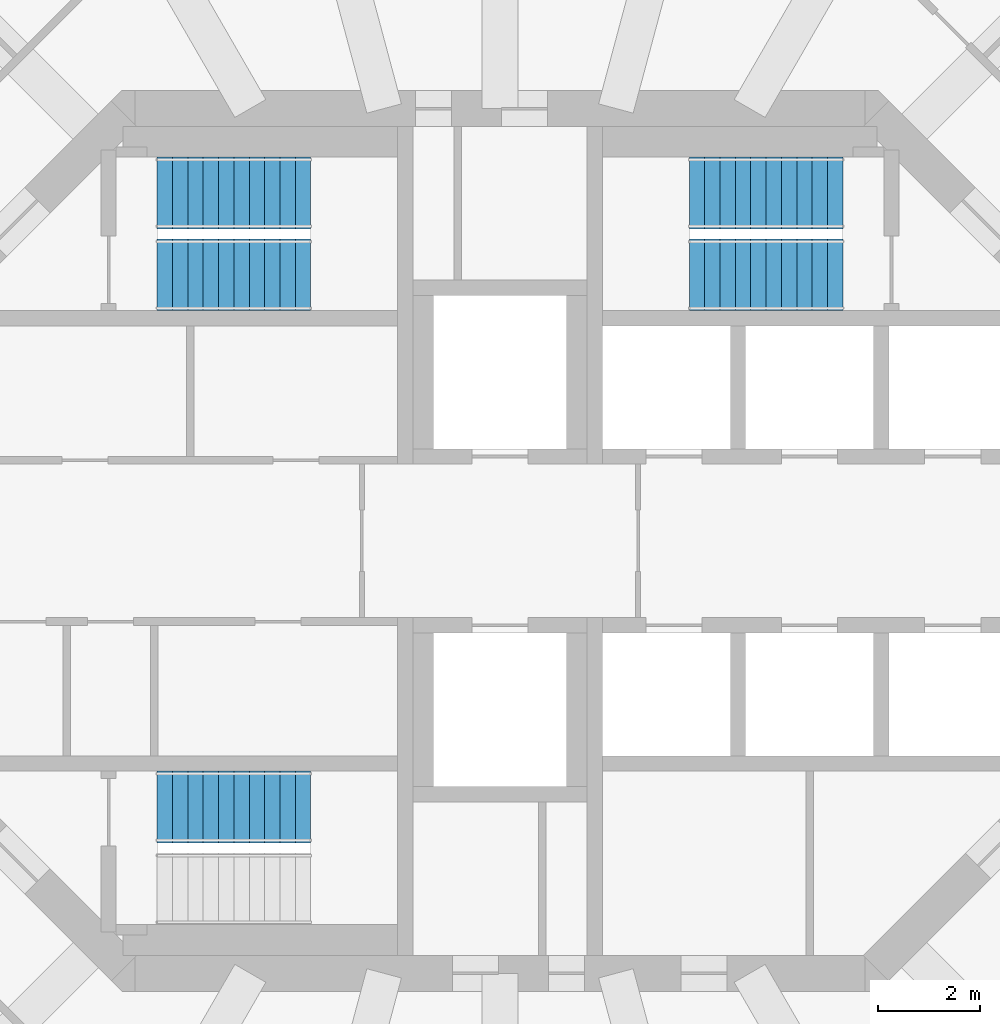
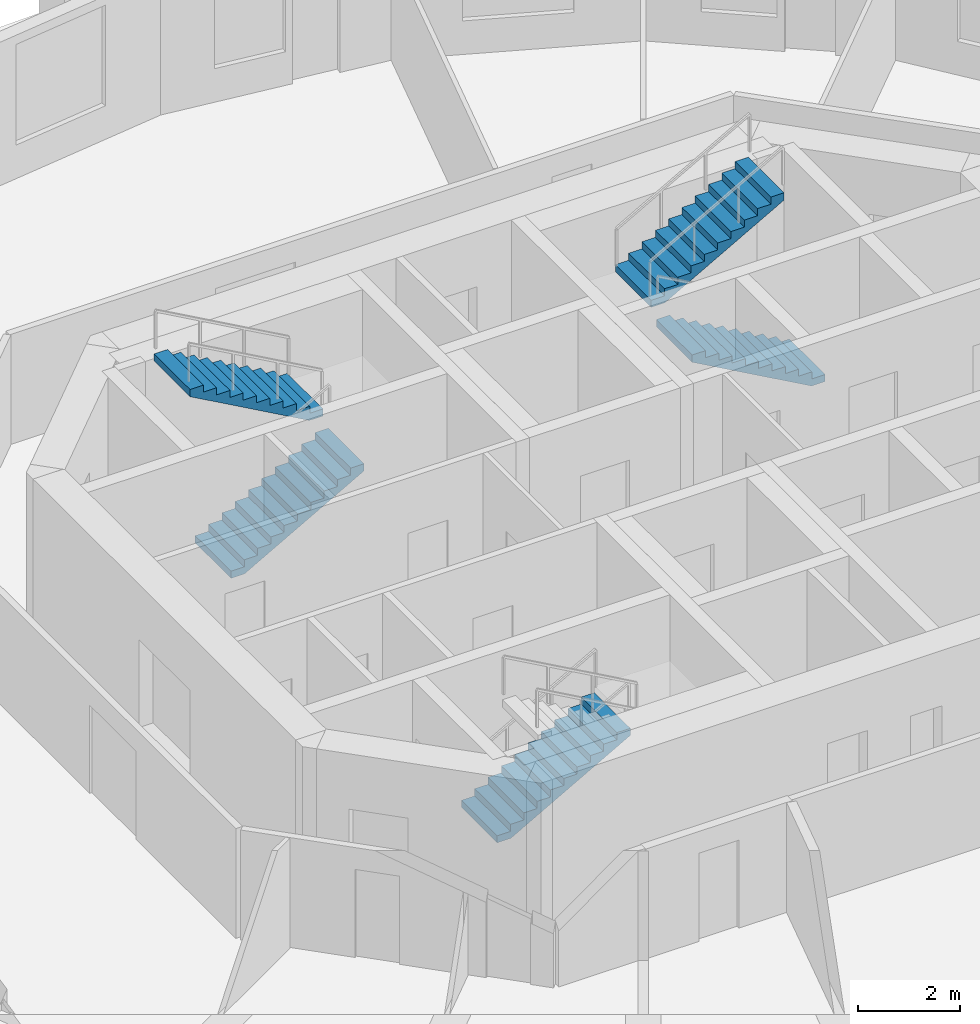
# One storey, part 7 of 9: 5 stair flights, 3 elements without a shape of their own.
"""IFC4 building model written with IfcOpenShell, lengths in metres."""

from ifc_helpers import new_model, si_unit, direction, frame, origin, place, context, subcontext, project, spatial, polyline, outline, extrude, material, type_object, element, aggregate, save


model = new_model("IFC4")

# Units and contexts
model_context = context("Model", 3, precision=1e-05, world=origin(), true_north=direction((0.0, 1.0)))
body_context = subcontext(model_context, "Body", "Model", "MODEL_VIEW")
ifc_project = project(units=[si_unit("LENGTHUNIT", "METRE"), si_unit("AREAUNIT", "SQUARE_METRE"), si_unit("VOLUMEUNIT", "CUBIC_METRE"), si_unit("PLANEANGLEUNIT", "RADIAN"), si_unit("MASSUNIT", "GRAM", prefix="KILO")], contexts=[model_context])

# Site, building, storey
site_placement = place(None, origin())
site = spatial("IfcSite", under=ifc_project, at=site_placement, CompositionType="ELEMENT")
building_placement = place(site_placement, origin())
building = spatial("IfcBuilding", under=site, at=building_placement, Name="Torre Triforio", CompositionType="ELEMENT")
storey_placement = place(building_placement, frame((0.0, 0.0, 154.199951171875)))
storey = spatial("IfcBuildingStorey", under=building, at=storey_placement, Name="L34", CompositionType="ELEMENT", Elevation=154.199951171875)

# Stair, stair flights
ifc_material = material(Name="Concrete C40", Category="concrete")
stair_type = type_object("IfcStairType", Name="STAIR HALF-TURN", PredefinedType="HALF_TURN_STAIR", material=ifc_material)
stair_1_placement = place(storey_placement, origin())
stair_1 = element("IfcStair", 1, at=stair_1_placement, inside=storey, type_object=stair_type, Name="Exit stair 1", PredefinedType="HALF_TURN_STAIR")
stair_flight_type = type_object("IfcStairFlightType", Name="STAIR FLIGHT 1400", PredefinedType="STRAIGHT", material=ifc_material)
stair_flight_1_placement = place(storey_placement, frame((-6.699951171875, 5.199951171875, 0.0), z_axis=(0.0, 0.0, 1.0), x_axis=(1.0, 0.0, 0.0)))
stair_flight_1 = element("IfcStairFlight", 2, at=stair_flight_1_placement, type_object=stair_flight_type, Name="ST1 flight 1", NumberOfRisers=11, NumberOfTreads=10, PredefinedType="STRAIGHT", RiserHeight=0.168181818, TreadLength=0.3, context=body_context, shape_type="SweptSolid", body=[
    extrude(outline(polyline([(0.0, 0.0), (0.0, 0.168212890625), (0.300048828125, 0.168212890625), (0.300048828125, 0.33642578125), (0.60009765625, 0.33642578125), (0.60009765625, 0.504638671875), (0.89990234375, 0.504638671875), (0.89990234375, 0.672607421875), (1.199951171875, 0.672607421875), (1.199951171875, 0.8408203125), (1.5, 0.8408203125), (1.5, 1.009033203125), (1.800048828125, 1.009033203125), (1.800048828125, 1.17724609375), (2.10009765625, 1.17724609375), (2.10009765625, 1.345458984375), (2.39990234375, 1.345458984375), (2.39990234375, 1.513671875), (2.699951171875, 1.513671875), (2.699951171875, 1.681884765625), (3.0, 1.681884765625), (3.0, 1.85009765625), (3.0, 1.510009765625), (0.306640625, 0.0), (0.0, 0.0)])), frame((0.0, 0.699951171875, 0.0), z_axis=(0.0, -1.0, 0.0), x_axis=(1.0, 0.0, 0.0)), (0.0, 0.0, 1.0), 1.39990234375),
])
stair_flight_2_placement = place(storey_placement, frame((-3.699951171875, 6.800048828125, 1.85009765625), z_axis=(0.0, 0.0, 1.0), x_axis=(-1.0, 0.0, 0.0)))
stair_flight_2 = element("IfcStairFlight", 3, at=stair_flight_2_placement, type_object=stair_flight_type, Name="ST1 flight 2", NumberOfRisers=11, NumberOfTreads=10, PredefinedType="STRAIGHT", RiserHeight=0.168181818, TreadLength=0.3, context=body_context, shape_type="SweptSolid", body=[
    extrude(outline(polyline([(0.0, 0.0), (0.0, 0.168212890625), (0.300048828125, 0.168212890625), (0.300048828125, 0.33642578125), (0.60009765625, 0.33642578125), (0.60009765625, 0.504638671875), (0.89990234375, 0.504638671875), (0.89990234375, 0.672607421875), (1.199951171875, 0.672607421875), (1.199951171875, 0.8408203125), (1.5, 0.8408203125), (1.5, 1.009033203125), (1.800048828125, 1.009033203125), (1.800048828125, 1.17724609375), (2.10009765625, 1.17724609375), (2.10009765625, 1.345458984375), (2.39990234375, 1.345458984375), (2.39990234375, 1.513671875), (2.699951171875, 1.513671875), (2.699951171875, 1.681884765625), (3.0, 1.681884765625), (3.0, 1.85009765625), (3.0, 1.510009765625), (0.306640625, 0.0), (0.0, 0.0)])), frame((0.0, 0.699951171875, 0.0), z_axis=(0.0, -1.0, 0.0), x_axis=(1.0, 0.0, 0.0)), (0.0, 0.0, 1.0), 1.39990234375),
])
aggregate(stair_1, [stair_flight_1, stair_flight_2])

stair_2_placement = place(storey_placement, origin())
stair_2 = element("IfcStair", 4, at=stair_2_placement, inside=storey, type_object=stair_type, Name="Exit stair 2", PredefinedType="HALF_TURN_STAIR")
stair_flight_3_placement = place(storey_placement, frame((6.699951171875, 5.199951171875, 0.0), z_axis=(0.0, 0.0, 1.0), x_axis=(-1.0, 0.0, 0.0)))
stair_flight_3 = element("IfcStairFlight", 5, at=stair_flight_3_placement, type_object=stair_flight_type, Name="ST2 flight 1", NumberOfRisers=11, NumberOfTreads=10, PredefinedType="STRAIGHT", RiserHeight=0.168181818, TreadLength=0.3, context=body_context, shape_type="SweptSolid", body=[
    extrude(outline(polyline([(0.0, 0.0), (0.0, 0.168212890625), (0.300048828125, 0.168212890625), (0.300048828125, 0.33642578125), (0.60009765625, 0.33642578125), (0.60009765625, 0.504638671875), (0.89990234375, 0.504638671875), (0.89990234375, 0.672607421875), (1.199951171875, 0.672607421875), (1.199951171875, 0.8408203125), (1.5, 0.8408203125), (1.5, 1.009033203125), (1.800048828125, 1.009033203125), (1.800048828125, 1.17724609375), (2.10009765625, 1.17724609375), (2.10009765625, 1.345458984375), (2.39990234375, 1.345458984375), (2.39990234375, 1.513671875), (2.699951171875, 1.513671875), (2.699951171875, 1.681884765625), (3.0, 1.681884765625), (3.0, 1.85009765625), (3.0, 1.510009765625), (0.306640625, 0.0), (0.0, 0.0)])), frame((0.0, 0.699951171875, 0.0), z_axis=(0.0, -1.0, 0.0), x_axis=(1.0, 0.0, 0.0)), (0.0, 0.0, 1.0), 1.39990234375),
])
stair_flight_4_placement = place(storey_placement, frame((3.699951171875, 6.800048828125, 1.85009765625), z_axis=(0.0, 0.0, 1.0), x_axis=(1.0, 0.0, 0.0)))
stair_flight_4 = element("IfcStairFlight", 6, at=stair_flight_4_placement, type_object=stair_flight_type, Name="ST2 flight 2", NumberOfRisers=11, NumberOfTreads=10, PredefinedType="STRAIGHT", RiserHeight=0.168181818, TreadLength=0.3, context=body_context, shape_type="SweptSolid", body=[
    extrude(outline(polyline([(0.0, 0.0), (0.0, 0.168212890625), (0.300048828125, 0.168212890625), (0.300048828125, 0.33642578125), (0.60009765625, 0.33642578125), (0.60009765625, 0.504638671875), (0.89990234375, 0.504638671875), (0.89990234375, 0.672607421875), (1.199951171875, 0.672607421875), (1.199951171875, 0.8408203125), (1.5, 0.8408203125), (1.5, 1.009033203125), (1.800048828125, 1.009033203125), (1.800048828125, 1.17724609375), (2.10009765625, 1.17724609375), (2.10009765625, 1.345458984375), (2.39990234375, 1.345458984375), (2.39990234375, 1.513671875), (2.699951171875, 1.513671875), (2.699951171875, 1.681884765625), (3.0, 1.681884765625), (3.0, 1.85009765625), (3.0, 1.510009765625), (0.306640625, 0.0), (0.0, 0.0)])), frame((0.0, 0.699951171875, 0.0), z_axis=(0.0, -1.0, 0.0), x_axis=(1.0, 0.0, 0.0)), (0.0, 0.0, 1.0), 1.39990234375),
])
aggregate(stair_2, [stair_flight_3, stair_flight_4])

# Stair, stair flight
stair_3_placement = place(storey_placement, origin())
stair_3 = element("IfcStair", 7, at=stair_3_placement, inside=storey, type_object=stair_type, Name="Exit stair 3", PredefinedType="HALF_TURN_STAIR")
stair_flight_5_placement = place(storey_placement, frame((-6.699951171875, -5.199951171875, 0.0), z_axis=(0.0, 0.0, 1.0), x_axis=(1.0, 0.0, 0.0)))
stair_flight_5 = element("IfcStairFlight", 8, at=stair_flight_5_placement, type_object=stair_flight_type, Name="ST3 flight 1", NumberOfRisers=11, NumberOfTreads=10, PredefinedType="STRAIGHT", RiserHeight=0.168181818, TreadLength=0.3, context=body_context, shape_type="SweptSolid", body=[
    extrude(outline(polyline([(0.0, 0.0), (0.0, 0.168212890625), (0.300048828125, 0.168212890625), (0.300048828125, 0.33642578125), (0.60009765625, 0.33642578125), (0.60009765625, 0.504638671875), (0.89990234375, 0.504638671875), (0.89990234375, 0.672607421875), (1.199951171875, 0.672607421875), (1.199951171875, 0.8408203125), (1.5, 0.8408203125), (1.5, 1.009033203125), (1.800048828125, 1.009033203125), (1.800048828125, 1.17724609375), (2.10009765625, 1.17724609375), (2.10009765625, 1.345458984375), (2.39990234375, 1.345458984375), (2.39990234375, 1.513671875), (2.699951171875, 1.513671875), (2.699951171875, 1.681884765625), (3.0, 1.681884765625), (3.0, 1.85009765625), (3.0, 1.510009765625), (0.306640625, 0.0), (0.0, 0.0)])), frame((0.0, 0.699951171875, 0.0), z_axis=(0.0, -1.0, 0.0), x_axis=(1.0, 0.0, 0.0)), (0.0, 0.0, 1.0), 1.39990234375),
])
aggregate(stair_3, [stair_flight_5])

save(model, "model.ifc")
